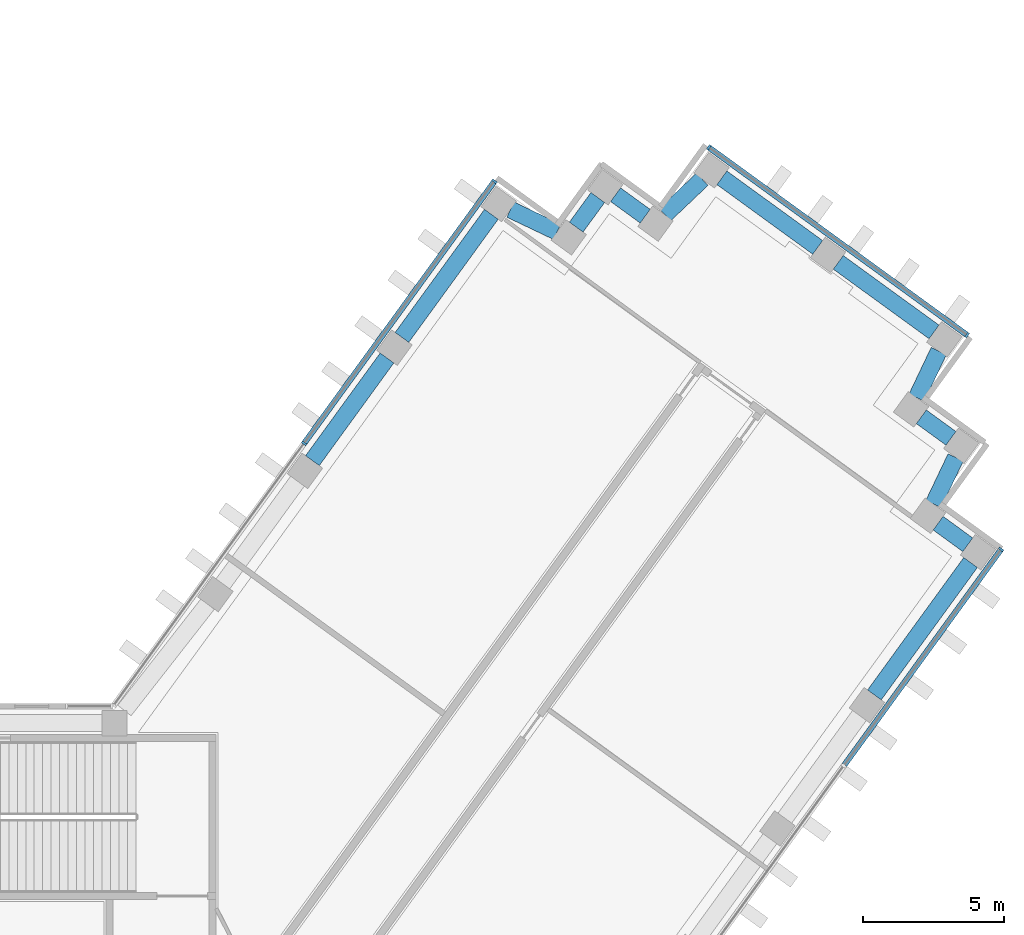
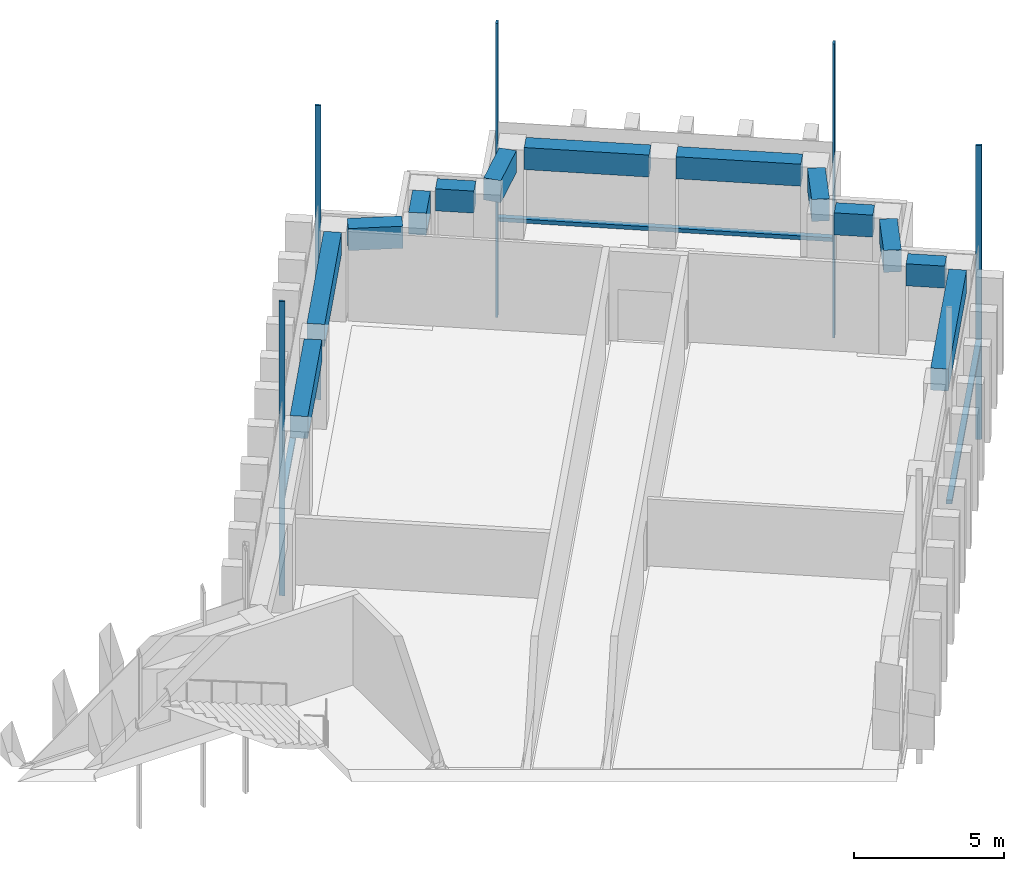
# One storey, part 6 of 16: 13 beams, 8 members, 3 elements without a shape of their own.
"""IFC4 building model written with IfcOpenShell, lengths in metres."""

from ifc_helpers import new_model, si_unit, direction, frame, origin, origin_2d, place, context, subcontext, project, spatial, rectangle, extrude, material, material_profile, profile_set, type_object, element, aggregate, save


model = new_model("IFC4")

# Units and contexts
model_context = context("Model", 3, precision=1e-05, world=origin(), true_north=direction((0.0, 1.0)))
body_context = subcontext(model_context, "Body", "Model", "MODEL_VIEW")
ifc_project = project(units=[si_unit("LENGTHUNIT", "METRE"), si_unit("AREAUNIT", "SQUARE_METRE"), si_unit("VOLUMEUNIT", "CUBIC_METRE"), si_unit("PLANEANGLEUNIT", "RADIAN"), si_unit("MASSUNIT", "GRAM", prefix="KILO")], contexts=[model_context])

# Site, building, storey
site_placement = place(None, origin())
site = spatial("IfcSite", under=ifc_project, at=site_placement, CompositionType="ELEMENT")
building_placement = place(site_placement, origin())
building = spatial("IfcBuilding", under=site, at=building_placement, Name="Quipu Civic Tower", CompositionType="ELEMENT")
storey_placement = place(building_placement, frame((0.0, 0.0, 125.0)))
storey = spatial("IfcBuildingStorey", under=building, at=storey_placement, Name="L29", CompositionType="ELEMENT", Elevation=125.0)

# Curtain wall, member
ifc_material_1 = material(Name="Insulated glass unit", Category="glass")
curtain_wall_type = type_object("IfcCurtainWallType", Name="Office curtain wall CW1", PredefinedType="NOTDEFINED", material=ifc_material_1)
curtain_wall_1_placement = place(storey_placement, origin())
curtain_wall_1 = element("IfcCurtainWall", 1, at=curtain_wall_1_placement, inside=storey, type_object=curtain_wall_type, Name="Office curtain wall CW1 L28 run 23", PredefinedType="NOTDEFINED")
ifc_material_2 = material(Name="Anodised aluminium", Category="aluminium")
ifc_material_profile_1 = material_profile(ifc_material_2, rectangle(XDim=0.199951171875, YDim=0.080078125, at=origin_2d()), Name="RECT 200x80")
ifc_profile_set_1 = profile_set([ifc_material_profile_1], Name="Anodised aluminium")
member_type_1 = type_object("IfcMemberType", Name="Mullion CW1", PredefinedType="MULLION", material=ifc_profile_set_1)
member_1_placement = place(storey_placement, frame((45.825927734375, 16.661865234375, -3.919921875), z_axis=(0.0, 0.0, 1.0), x_axis=(-0.809016904652, 0.587785375786, 0.0)))
member_1 = element("IfcMember", 2, at=member_1_placement, type_object=member_type_1, Name="CW1 mullion 4", PredefinedType="MULLION", context=body_context, shape_type="SweptSolid", body=[
    extrude(rectangle(XDim=0.199951171875, YDim=0.080078125, at=origin_2d()), origin(), (0.0, 0.0, 1.0), 12.0),
])

# Curtain wall, members
curtain_wall_2_placement = place(storey_placement, origin())
curtain_wall_2 = element("IfcCurtainWall", 3, at=curtain_wall_2_placement, inside=storey, type_object=curtain_wall_type, Name="Office curtain wall CW1 L28 run 25", PredefinedType="NOTDEFINED")
member_2_placement = place(storey_placement, frame((44.62255859375, 24.260498046875, -3.919921875), z_axis=(0.0, 0.0, 1.0), x_axis=(-0.587787753918, -0.809015176832, 0.0)))
member_2 = element("IfcMember", 4, at=member_2_placement, type_object=member_type_1, Name="CW1 mullion 1", PredefinedType="MULLION", context=body_context, shape_type="SweptSolid", body=[
    extrude(rectangle(XDim=0.199951171875, YDim=0.080078125, at=origin_2d()), origin(), (0.0, 0.0, 1.0), 12.0),
])
member_3_placement = place(storey_placement, frame((35.46435546875, 30.914306640625, -3.919921875), z_axis=(0.0, 0.0, 1.0), x_axis=(-0.587787753918, -0.809015176832, 0.0)))
member_3 = element("IfcMember", 5, at=member_3_placement, type_object=member_type_1, Name="CW1 mullion 2", PredefinedType="MULLION", context=body_context, shape_type="SweptSolid", body=[
    extrude(rectangle(XDim=0.199951171875, YDim=0.080078125, at=origin_2d()), origin(), (0.0, 0.0, 1.0), 12.0),
])

curtain_wall_3_placement = place(storey_placement, origin())
curtain_wall_3 = element("IfcCurtainWall", 6, at=curtain_wall_3_placement, inside=storey, type_object=curtain_wall_type, Name="Office curtain wall CW1 L28 run 30", PredefinedType="NOTDEFINED")
member_4_placement = place(storey_placement, frame((27.865966796875, 29.7109375, -3.919921875), z_axis=(0.0, 0.0, 1.0), x_axis=(0.809014469803, -0.587788727052, 0.0)))
member_4 = element("IfcMember", 7, at=member_4_placement, type_object=member_type_1, Name="CW1 mullion 1", PredefinedType="MULLION", context=body_context, shape_type="SweptSolid", body=[
    extrude(rectangle(XDim=0.199951171875, YDim=0.080078125, at=origin_2d()), origin(), (0.0, 0.0, 1.0), 12.0),
])
member_5_placement = place(storey_placement, frame((21.11669921875, 20.421630859375, -3.919921875), z_axis=(0.0, 0.0, 1.0), x_axis=(0.809014469803, -0.587788727052, 0.0)))
member_5 = element("IfcMember", 8, at=member_5_placement, type_object=member_type_1, Name="CW1 mullion 2", PredefinedType="MULLION", context=body_context, shape_type="SweptSolid", body=[
    extrude(rectangle(XDim=0.199951171875, YDim=0.080078125, at=origin_2d()), origin(), (0.0, 0.0, 1.0), 12.0),
])

# Beams
ifc_material_3 = material(Name="Concrete C50/60", Category="concrete")
ifc_material_profile_2 = material_profile(ifc_material_3, rectangle(XDim=0.60009765625, YDim=0.89990234375, at=origin_2d()), Name="RC600x900")
ifc_profile_set_2 = profile_set([ifc_material_profile_2], Name="Concrete C50/60")
beam_type = type_object("IfcBeamType", Name="Spandrel beam RC 600x900 C50/60", PredefinedType="SPANDREL", material=ifc_profile_set_2)
beam_1_placement = place(storey_placement, frame((41.3349609375, 11.50146484375, 3.199951171875), z_axis=(0.587766353983, 0.809030724463, 0.0), x_axis=(-0.809030724463, 0.587766353983, 0.0)))
element("IfcBeam", 9, at=beam_1_placement, inside=storey, type_object=beam_type, Name="Spandrel beam L29 E-OUT-04 to T-Eo.0-E34", PredefinedType="SPANDREL", context=body_context, shape_type="SweptSolid", body=[
    extrude(rectangle(XDim=0.60009765625, YDim=0.89990234375, at=origin_2d()), origin(), (0.0, 0.0, 1.0), 5.802734375),
])
beam_2_placement = place(storey_placement, frame((44.646240234375, 16.82470703125, 3.199951171875), z_axis=(-0.808524921146, 0.588461937499, 0.0), x_axis=(-0.588461937499, -0.808524921146, 0.0)))
element("IfcBeam", 10, at=beam_2_placement, inside=storey, type_object=beam_type, Name="Spandrel beam L29 T-Eo.0-E34 to T-Eo.1-E34", PredefinedType="SPANDREL", context=body_context, shape_type="SweptSolid", body=[
    extrude(rectangle(XDim=0.60009765625, YDim=0.89990234375, at=origin_2d()), origin(), (0.0, 0.0, 1.0), 1.30029296875),
])
beam_3_placement = place(storey_placement, frame((43.42822265625, 18.267578125, 3.199951171875), z_axis=(0.430677818234, 0.902505743406, 0.0), x_axis=(-0.902505743406, 0.430677818234, 0.0)))
element("IfcBeam", 11, at=beam_3_placement, inside=storey, type_object=beam_type, Name="Spandrel beam L29 T-Eo.1-E34 to T-Eo.2-E34", PredefinedType="SPANDREL", context=body_context, shape_type="SweptSolid", body=[
    extrude(rectangle(XDim=0.60009765625, YDim=0.89990234375, at=origin_2d()), origin(), (0.0, 0.0, 1.0), 1.833251953125),
])
beam_4_placement = place(storey_placement, frame((44.05078125, 20.59912109375, 3.199951171875), z_axis=(-0.809393823939, 0.587266240959, 0.0), x_axis=(-0.587266240959, -0.809393823939, 0.0)))
element("IfcBeam", 12, at=beam_4_placement, inside=storey, type_object=beam_type, Name="Spandrel beam L29 T-Eo.2-E34 to T-Eo.3-E34", PredefinedType="SPANDREL", context=body_context, shape_type="SweptSolid", body=[
    extrude(rectangle(XDim=0.60009765625, YDim=0.89990234375, at=origin_2d()), origin(), (0.0, 0.0, 1.0), 1.299072265625),
])
beam_5_placement = place(storey_placement, frame((42.83154296875, 22.03955078125, 3.199951171875), z_axis=(0.429892146977, 0.902880247856, 0.0), x_axis=(-0.902880247856, 0.429892146977, 0.0)))
element("IfcBeam", 13, at=beam_5_placement, inside=storey, type_object=beam_type, Name="Spandrel beam L29 T-Eo.3-E34 to T-Eo.4-E34", PredefinedType="SPANDREL", context=body_context, shape_type="SweptSolid", body=[
    extrude(rectangle(XDim=0.60009765625, YDim=0.89990234375, at=origin_2d()), origin(), (0.0, 0.0, 1.0), 1.829833984375),
])
beam_6_placement = place(storey_placement, frame((43.450927734375, 24.36962890625, 3.199951171875), z_axis=(-0.808987489375, 0.587825860298, 0.0), x_axis=(-0.587825860298, -0.808987489375, 0.0)))
element("IfcBeam", 14, at=beam_6_placement, inside=storey, type_object=beam_type, Name="Spandrel beam L29 T-Eo.4-E34 to TIP-E-01-E34", PredefinedType="SPANDREL", context=body_context, shape_type="SweptSolid", body=[
    extrude(rectangle(XDim=0.60009765625, YDim=0.89990234375, at=origin_2d()), origin(), (0.0, 0.0, 1.0), 4.1982421875),
])
beam_7_placement = place(storey_placement, frame((39.32666015625, 27.366455078125, 3.199951171875), z_axis=(-0.808969789945, 0.58785021813, 0.0), x_axis=(-0.58785021813, -0.808969789945, 0.0)))
element("IfcBeam", 15, at=beam_7_placement, inside=storey, type_object=beam_type, Name="Spandrel beam L29 TIP-E-01-E34 to T-Ei.0-E34", PredefinedType="SPANDREL", context=body_context, shape_type="SweptSolid", body=[
    extrude(rectangle(XDim=0.60009765625, YDim=0.89990234375, at=origin_2d()), origin(), (0.0, 0.0, 1.0), 4.199951171875),
])
beam_8_placement = place(storey_placement, frame((35.233154296875, 29.784912109375, 3.199951171875), z_axis=(-0.725209203815, -0.688528583795, 0.0), x_axis=(0.688528583795, -0.725209203815, 0.0)))
element("IfcBeam", 16, at=beam_8_placement, inside=storey, type_object=beam_type, Name="Spandrel beam L29 T-Ei.0-E34 to T-Ei.1-E34", PredefinedType="SPANDREL", context=body_context, shape_type="SweptSolid", body=[
    extrude(rectangle(XDim=0.60009765625, YDim=0.89990234375, at=origin_2d()), origin(), (0.0, 0.0, 1.0), 1.830322265625),
])
beam_9_placement = place(storey_placement, frame((33.209716796875, 28.4736328125, 3.199951171875), z_axis=(-0.809402563526, 0.587254195521, 0.0), x_axis=(-0.587254195521, -0.809402563526, 0.0)))
element("IfcBeam", 17, at=beam_9_placement, inside=storey, type_object=beam_type, Name="Spandrel beam L29 T-Ei.1-E34 to T-Ei.2-E34", PredefinedType="SPANDREL", context=body_context, shape_type="SweptSolid", body=[
    extrude(rectangle(XDim=0.60009765625, YDim=0.89990234375, at=origin_2d()), origin(), (0.0, 0.0, 1.0), 1.2978515625),
])
beam_10_placement = place(storey_placement, frame((31.52978515625, 29.136474609375, 3.199951171875), z_axis=(-0.589187485143, -0.80799635355, 0.0), x_axis=(0.80799635355, -0.589187485143, 0.0)))
element("IfcBeam", 18, at=beam_10_placement, inside=storey, type_object=beam_type, Name="Spandrel beam L29 T-Ei.2-E34 to T-Ei.3-E34", PredefinedType="SPANDREL", context=body_context, shape_type="SweptSolid", body=[
    extrude(rectangle(XDim=0.60009765625, YDim=0.89990234375, at=origin_2d()), origin(), (0.0, 0.0, 1.0), 1.2998046875),
])
beam_11_placement = place(storey_placement, frame((30.085693359375, 27.919677734375, 3.199951171875), z_axis=(-0.902567013751, 0.430549399823, 0.0), x_axis=(-0.430549399823, -0.902567013751, 0.0)))
element("IfcBeam", 19, at=beam_11_placement, inside=storey, type_object=beam_type, Name="Spandrel beam L29 T-Ei.3-E34 to T-Ei.4-E34", PredefinedType="SPANDREL", context=body_context, shape_type="SweptSolid", body=[
    extrude(rectangle(XDim=0.60009765625, YDim=0.89990234375, at=origin_2d()), origin(), (0.0, 0.0, 1.0), 1.8310546875),
])
beam_12_placement = place(storey_placement, frame((27.755615234375, 28.541015625, 3.199951171875), z_axis=(-0.58767640123, -0.809096068114, 0.0), x_axis=(0.809096068114, -0.58767640123, 0.0)))
element("IfcBeam", 20, at=beam_12_placement, inside=storey, type_object=beam_type, Name="Spandrel beam L29 T-Ei.4-E34 to E-IN-03", PredefinedType="SPANDREL", context=body_context, shape_type="SweptSolid", body=[
    extrude(rectangle(XDim=0.60009765625, YDim=0.89990234375, at=origin_2d()), origin(), (0.0, 0.0, 1.0), 5.39404296875),
])
beam_13_placement = place(storey_placement, frame((24.056884765625, 23.448486328125, 3.199951171875), z_axis=(-0.587778073121, -0.809022210299, 0.0), x_axis=(0.809022210299, -0.587778073121, 0.0)))
element("IfcBeam", 21, at=beam_13_placement, inside=storey, type_object=beam_type, Name="Spandrel beam L29 E-IN-03 to E-IN-02", PredefinedType="SPANDREL", context=body_context, shape_type="SweptSolid", body=[
    extrude(rectangle(XDim=0.60009765625, YDim=0.89990234375, at=origin_2d()), origin(), (0.0, 0.0, 1.0), 4.5),
])

# Member
ifc_material_4 = material(Name="Anodised aluminium", Category="aluminium")
ifc_material_profile_3 = material_profile(ifc_material_4, rectangle(XDim=0.199951171875, YDim=0.159912109375, at=origin_2d()), Name="RECT 200x160")
ifc_profile_set_3 = profile_set([ifc_material_profile_3], Name="Anodised aluminium")
member_type_2 = type_object("IfcMemberType", Name="Transom CW1", PredefinedType="USERDEFINED", material=ifc_profile_set_3)
member_6_placement = place(storey_placement, frame((40.275146484375, 9.02197265625, 0.080078125), z_axis=(0.58778879159, 0.809014422913, 0.0), x_axis=(-0.809014422913, 0.58778879159, 0.0)))
member_6 = element("IfcMember", 22, at=member_6_placement, type_object=member_type_2, Name="CW1 transom 3.2", ObjectType="TRANSOM", PredefinedType="USERDEFINED", context=body_context, shape_type="SweptSolid", body=[
    extrude(rectangle(XDim=0.199951171875, YDim=0.159912109375, at=origin_2d()), origin(), (0.0, 0.0, 1.0), 9.403564453125),
])

aggregate(curtain_wall_1, [member_1, member_6])

member_7_placement = place(storey_placement, frame((44.590087890625, 24.2841796875, 0.080078125), z_axis=(-0.809014959561, 0.587788052963, 0.0), x_axis=(-0.587788052963, -0.809014959561, 0.0)))
member_7 = element("IfcMember", 23, at=member_7_placement, type_object=member_type_2, Name="CW1 transom 1.2", ObjectType="TRANSOM", PredefinedType="USERDEFINED", context=body_context, shape_type="SweptSolid", body=[
    extrude(rectangle(XDim=0.199951171875, YDim=0.159912109375, at=origin_2d()), origin(), (0.0, 0.0, 1.0), 11.239990234375),
])

aggregate(curtain_wall_2, [member_2, member_3, member_7])

member_8_placement = place(storey_placement, frame((27.84228515625, 29.678466796875, 0.080078125), z_axis=(-0.587775682251, -0.809023947331, 0.0), x_axis=(0.809023947331, -0.587775682251, 0.0)))
member_8 = element("IfcMember", 24, at=member_8_placement, type_object=member_type_2, Name="CW1 transom 1.2", ObjectType="TRANSOM", PredefinedType="USERDEFINED", context=body_context, shape_type="SweptSolid", body=[
    extrude(rectangle(XDim=0.199951171875, YDim=0.159912109375, at=origin_2d()), origin(), (0.0, 0.0, 1.0), 11.402099609375),
])

aggregate(curtain_wall_3, [member_4, member_5, member_8])

save(model, "model.ifc")
